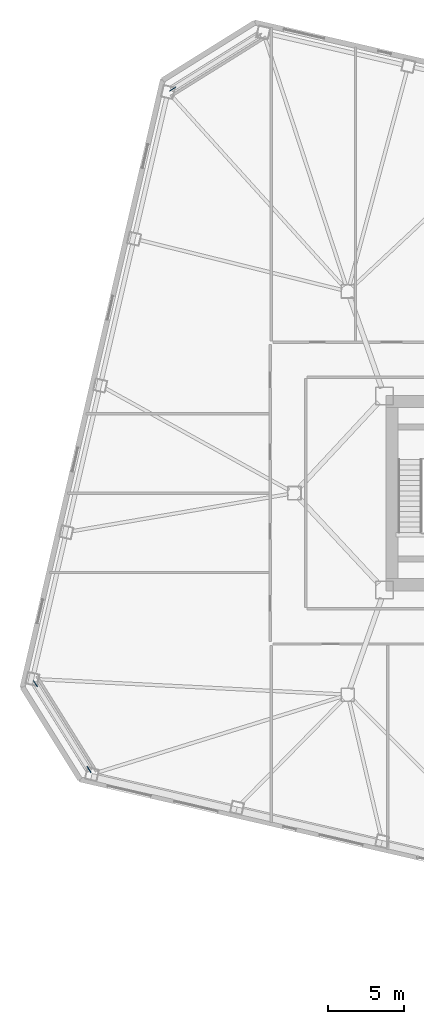
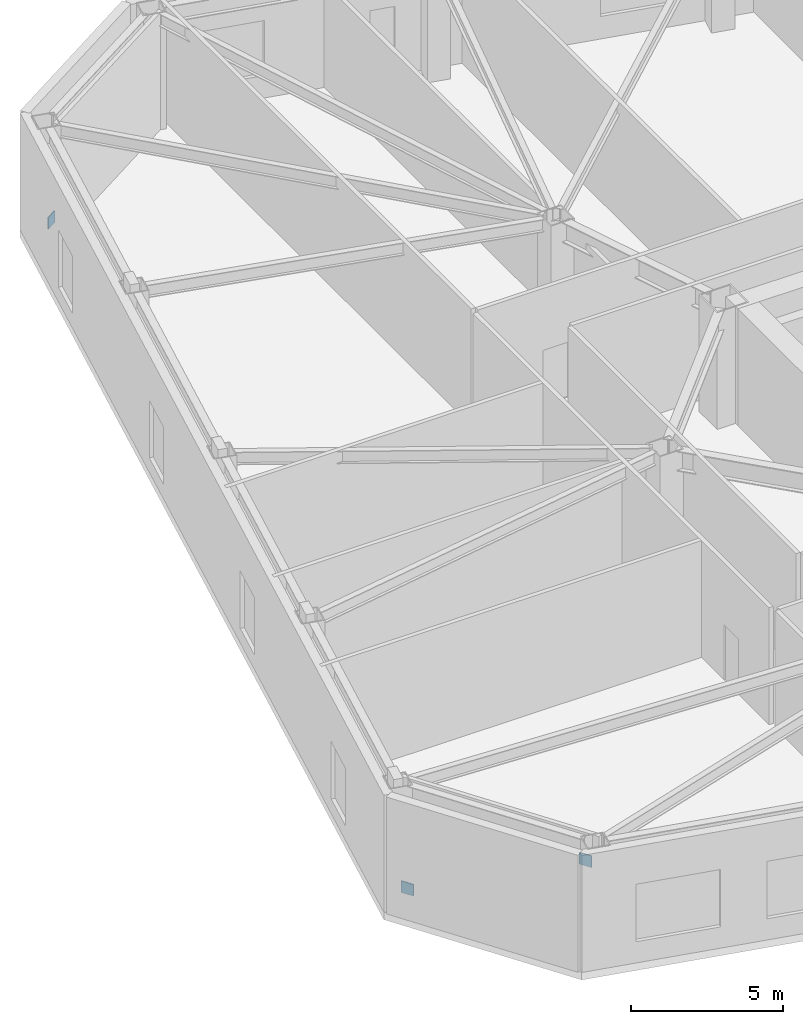
# One storey, part 15 of 19: 3 discrete accessories.
"""IFC4 building model written with IfcOpenShell, lengths in metres."""

from ifc_helpers import new_model, si_unit, direction, frame, origin, origin_2d, place, context, subcontext, project, spatial, rectangle, extrude, material, type_object, element, save


model = new_model("IFC4")

# Units and contexts
model_context = context("Model", 3, precision=1e-05, world=origin(), true_north=direction((0.0, 1.0)))
body_context = subcontext(model_context, "Body", "Model", "MODEL_VIEW")
ifc_project = project(units=[si_unit("LENGTHUNIT", "METRE"), si_unit("AREAUNIT", "SQUARE_METRE"), si_unit("VOLUMEUNIT", "CUBIC_METRE"), si_unit("PLANEANGLEUNIT", "RADIAN"), si_unit("MASSUNIT", "GRAM", prefix="KILO")], contexts=[model_context])

# Site, building, storey
site_placement = place(None, origin())
site = spatial("IfcSite", under=ifc_project, at=site_placement, CompositionType="ELEMENT")
building_placement = place(site_placement, origin())
building = spatial("IfcBuilding", under=site, at=building_placement, Name="Tavrogorsk Clinical Tower", CompositionType="ELEMENT")
storey_placement = place(building_placement, frame((0.0, 0.0, 28.39990234375)))
storey = spatial("IfcBuildingStorey", under=building, at=storey_placement, Name="L05", CompositionType="ELEMENT", Elevation=28.39990234375)

# Discrete accessories
ifc_material = material(Name="Structural steel S440", Category="steel")
discrete_accessory_type = type_object("IfcDiscreteAccessoryType", Name="GussetPlateBracket_25", PredefinedType="BRACKET", material=ifc_material)
for number, where, z_axis, x_axis, name in (
    (1, (-35.966796875, 26.453125, 0.252685546875), (0.0, 0.0, 1.0), (0.848048096156, 0.529919264233, 0.0), "L05 Brace Gusset Plate EXOCRN-L05-3-A"),
    (2, (-44.954833984375, -12.47900390625, 0.252685546875), (0.0, 0.0, 1.0), (0.529919264233, -0.848048096156, 0.0), "L05 Brace Gusset Plate EXOCRN-L05-4-A"),
    (3, (-41.444580078125, -18.0966796875, 3.567626953125), (0.0, 0.0, 1.0), (0.529919264233, -0.848048096156, 0.0), "L05 Brace Gusset Plate EXOCRN-L05-4-B"),
):
    element("IfcDiscreteAccessory", number, at=place(storey_placement, frame(where, z_axis=z_axis, x_axis=x_axis)), inside=storey, type_object=discrete_accessory_type, Name=name, PredefinedType="BRACKET", context=body_context, shape_type="SweptSolid", body=[
        extrude(rectangle(XDim=0.4599609375, YDim=0.0400390625, at=origin_2d()), origin(), (0.0, 0.0, 1.0), 0.4599609375),
    ])

save(model, "model.ifc")
